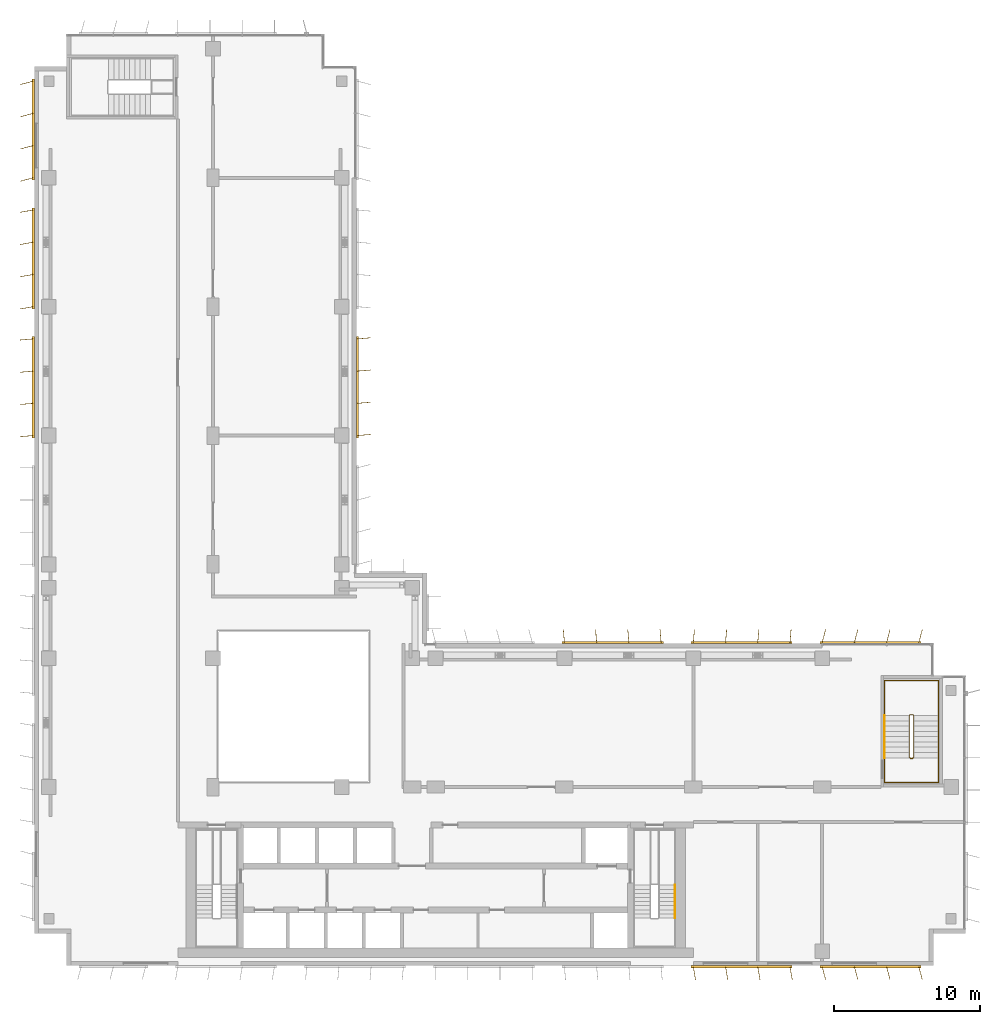
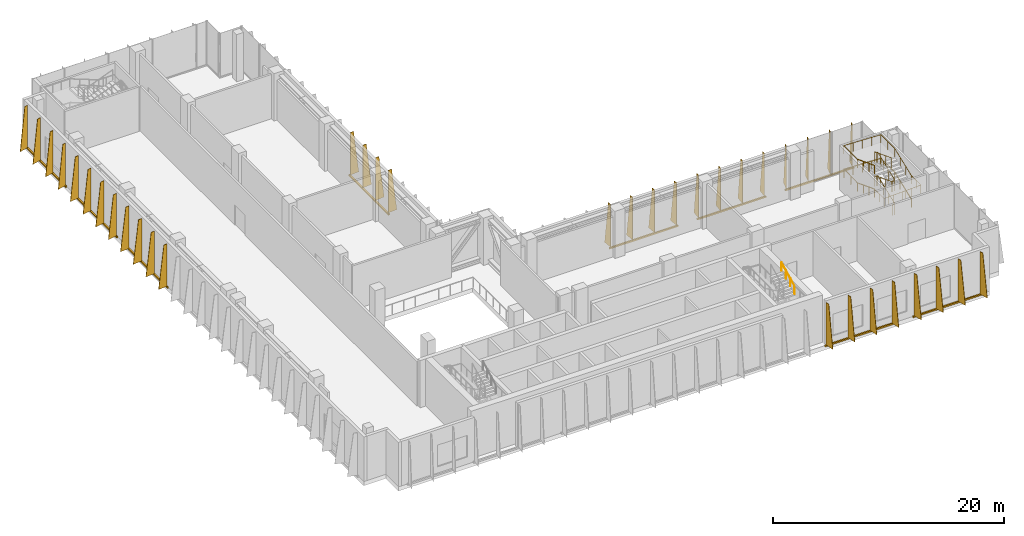
# One storey, part 16 of 17: 9 shading devices, 5 railings.
"""IFC4 building model written with IfcOpenShell, lengths in metres."""

from ifc_helpers import new_model, si_unit, direction, frame, origin, origin_2d, place, context, subcontext, project, spatial, polyline, rectangle, circle, outline, extrude, source, transform, mapped, material, layer, layer_set, type_object, element, save


model = new_model("IFC4")

# Units and contexts
model_context = context("Model", 3, precision=1e-05, world=origin(), true_north=direction((0.0, 1.0)))
body_context = subcontext(model_context, "Body", "Model", "MODEL_VIEW")
ifc_project = project(units=[si_unit("LENGTHUNIT", "METRE"), si_unit("AREAUNIT", "SQUARE_METRE"), si_unit("VOLUMEUNIT", "CUBIC_METRE"), si_unit("PLANEANGLEUNIT", "RADIAN"), si_unit("MASSUNIT", "GRAM", prefix="KILO")], contexts=[model_context])

# Site, building, storey
site_placement = place(None, origin())
site = spatial("IfcSite", under=ifc_project, at=site_placement, CompositionType="ELEMENT")
building_placement = place(site_placement, origin())
building = spatial("IfcBuilding", under=site, at=building_placement, Name="Kemantara Hotel Tower", CompositionType="ELEMENT")
storey_placement = place(building_placement, frame((0.0, 0.0, 193.800048828125)))
storey = spatial("IfcBuildingStorey", under=building, at=storey_placement, Name="L48", CompositionType="ELEMENT", Elevation=193.800048828125)

# Railings
ifc_material_1 = material(Name="Stainless steel balustrade", Category="steel")
railing_type_1 = type_object("IfcRailingType", Name="Stair guard 1100 mm", PredefinedType="GUARDRAIL", material=ifc_material_1)
railing_1_placement = place(storey_placement, frame((59.75, 14.199951171875, 5.0)))
element("IfcRailing", 1, at=railing_1_placement, inside=storey, type_object=railing_type_1, Name="L48 ST3 stair guard 1", PredefinedType="GUARDRAIL", context=body_context, shape_type="SweptSolid", body=[
    extrude(circle(Radius=0.02392578125, at=origin_2d()), frame((0.0, 0.0, 1.076171875), z_axis=(0.0, 0.932982310422, -0.359922225543), x_axis=(-1.0, 0.0, 0.0)), (0.0, 0.0, 1.0), 3.0869140625),
    extrude(circle(Radius=0.02392578125, at=origin_2d()), frame((0.0, 2.880126953125, -0.03515625), z_axis=(0.321175406682, 0.319608697381, -0.891457592206), x_axis=(-0.705375805398, 0.708833529934, 0.0)), (0.0, 0.0, 1.0), 0.15576171875),
    extrude(circle(Radius=0.02392578125, at=origin_2d()), frame((0.050048828125, 2.929931640625, -0.173828125), z_axis=(1.0, 0.0, 0.0), x_axis=(0.0, 1.0, 0.0)), (0.0, 0.0, 1.0), 0.199951171875),
    extrude(circle(Radius=0.02392578125, at=origin_2d()), frame((0.25, 2.929931640625, -0.173828125), z_axis=(0.708833529934, -0.705375805398, 0.0), x_axis=(0.705375805398, 0.708833529934, 0.0)), (0.0, 0.0, 1.0), 0.070556640625),
    extrude(circle(Radius=0.02392578125, at=origin_2d()), frame((0.300048828125, 2.880126953125, -0.173828125), z_axis=(0.0, -0.932982310422, -0.359922225543), x_axis=(1.0, 0.0, 0.0)), (0.0, 0.0, 1.0), 3.0869140625),
    extrude(circle(Radius=0.02392578125, at=origin_2d()), frame((0.300048828125, 0.0, -1.28515625), z_axis=(-0.861032742868, -0.172374719031, -0.478444951847), x_axis=(0.196300278283, -0.98054382908, 0.0)), (0.0, 0.0, 1.0), 0.290283203125),
    extrude(circle(Radius=0.02392578125, at=origin_2d()), frame((0.050048828125, -0.050048828125, -1.423828125), z_axis=(1.0, 0.0, 0.0), x_axis=(0.0, 1.0, 0.0)), (0.0, 0.0, 1.0), 0.199951171875),
    extrude(circle(Radius=0.02392578125, at=origin_2d()), frame((0.25, -0.050048828125, -1.423828125), z_axis=(-0.98054382908, 0.196300278283, 0.0), x_axis=(-0.196300278283, -0.98054382908, 0.0)), (0.0, 0.0, 1.0), 0.2548828125),
    extrude(circle(Radius=0.02392578125, at=origin_2d()), frame((0.0, 0.0, -1.423828125), z_axis=(0.0, 0.932982310422, -0.359922225543), x_axis=(-1.0, 0.0, 0.0)), (0.0, 0.0, 1.0), 3.0869140625),
    extrude(circle(Radius=0.02392578125, at=origin_2d()), frame((0.0, 2.880126953125, -2.53515625), z_axis=(0.321175406682, 0.319608697381, -0.891457592206), x_axis=(-0.705375805398, 0.708833529934, 0.0)), (0.0, 0.0, 1.0), 0.15576171875),
    extrude(circle(Radius=0.02392578125, at=origin_2d()), frame((0.050048828125, 2.929931640625, -2.673828125), z_axis=(1.0, 0.0, 0.0), x_axis=(0.0, 1.0, 0.0)), (0.0, 0.0, 1.0), 0.199951171875),
    extrude(circle(Radius=0.02392578125, at=origin_2d()), frame((0.25, 2.929931640625, -2.673828125), z_axis=(0.708833529934, -0.705375805398, 0.0), x_axis=(0.705375805398, 0.708833529934, 0.0)), (0.0, 0.0, 1.0), 0.070556640625),
    extrude(circle(Radius=0.02392578125, at=origin_2d()), frame((0.300048828125, 2.880126953125, -2.673828125), z_axis=(0.0, -0.932982310422, -0.359922225543), x_axis=(1.0, 0.0, 0.0)), (0.0, 0.0, 1.0), 3.0869140625),
    extrude(circle(Radius=0.02392578125, at=origin_2d()), frame((0.300048828125, 0.0, -3.78515625), z_axis=(-0.321014310373, -0.321014310373, -0.891010451718), x_axis=(0.707106781187, -0.707106781187, 0.0)), (0.0, 0.0, 1.0), 0.156005859375),
    extrude(circle(Radius=0.02392578125, at=origin_2d()), frame((0.25, -0.050048828125, -3.923828125), z_axis=(-1.0, 0.0, 0.0), x_axis=(0.0, -1.0, 0.0)), (0.0, 0.0, 1.0), 0.199951171875),
    extrude(circle(Radius=0.02099609375, at=origin_2d()), origin(), (0.0, 0.0, 1.0), 1.052001953125),
    extrude(circle(Radius=0.02099609375, at=origin_2d()), frame((0.0, 0.9599609375, -0.370361328125)), (0.0, 0.0, 1.0), 1.052001953125),
    extrude(circle(Radius=0.02099609375, at=origin_2d()), frame((0.0, 1.920166015625, -0.74072265625)), (0.0, 0.0, 1.0), 1.052001953125),
    extrude(circle(Radius=0.02099609375, at=origin_2d()), frame((0.0, 2.880126953125, -1.111083984375)), (0.0, 0.0, 1.0), 1.052001953125),
    extrude(circle(Radius=0.02099609375, at=origin_2d()), frame((0.050048828125, 2.929931640625, -1.25)), (0.0, 0.0, 1.0), 1.052001953125),
    extrude(circle(Radius=0.02099609375, at=origin_2d()), frame((0.25, 2.929931640625, -1.25)), (0.0, 0.0, 1.0), 1.052001953125),
    extrude(circle(Radius=0.02099609375, at=origin_2d()), frame((0.300048828125, 2.880126953125, -1.25)), (0.0, 0.0, 1.0), 1.052001953125),
    extrude(circle(Radius=0.02099609375, at=origin_2d()), frame((0.300048828125, 1.920166015625, -1.620361328125)), (0.0, 0.0, 1.0), 1.052001953125),
    extrude(circle(Radius=0.02099609375, at=origin_2d()), frame((0.300048828125, 0.9599609375, -1.99072265625)), (0.0, 0.0, 1.0), 1.052001953125),
    extrude(circle(Radius=0.02099609375, at=origin_2d()), frame((0.300048828125, 0.0, -2.361083984375)), (0.0, 0.0, 1.0), 1.052001953125),
    extrude(circle(Radius=0.02099609375, at=origin_2d()), frame((0.050048828125, -0.050048828125, -2.5)), (0.0, 0.0, 1.0), 1.052001953125),
    extrude(circle(Radius=0.02099609375, at=origin_2d()), frame((0.25, -0.050048828125, -2.5)), (0.0, 0.0, 1.0), 1.052001953125),
    extrude(circle(Radius=0.02099609375, at=origin_2d()), frame((0.0, 0.0, -2.5)), (0.0, 0.0, 1.0), 1.052001953125),
    extrude(circle(Radius=0.02099609375, at=origin_2d()), frame((0.0, 0.9599609375, -2.870361328125)), (0.0, 0.0, 1.0), 1.052001953125),
    extrude(circle(Radius=0.02099609375, at=origin_2d()), frame((0.0, 1.920166015625, -3.24072265625)), (0.0, 0.0, 1.0), 1.052001953125),
    extrude(circle(Radius=0.02099609375, at=origin_2d()), frame((0.0, 2.880126953125, -3.611083984375)), (0.0, 0.0, 1.0), 1.052001953125),
    extrude(circle(Radius=0.02099609375, at=origin_2d()), frame((0.050048828125, 2.929931640625, -3.75)), (0.0, 0.0, 1.0), 1.052001953125),
    extrude(circle(Radius=0.02099609375, at=origin_2d()), frame((0.25, 2.929931640625, -3.75)), (0.0, 0.0, 1.0), 1.052001953125),
    extrude(circle(Radius=0.02099609375, at=origin_2d()), frame((0.300048828125, 2.880126953125, -3.75)), (0.0, 0.0, 1.0), 1.052001953125),
    extrude(circle(Radius=0.02099609375, at=origin_2d()), frame((0.300048828125, 1.920166015625, -4.120361328125)), (0.0, 0.0, 1.0), 1.052001953125),
    extrude(circle(Radius=0.02099609375, at=origin_2d()), frame((0.300048828125, 0.9599609375, -4.49072265625)), (0.0, 0.0, 1.0), 1.052001953125),
    extrude(circle(Radius=0.02099609375, at=origin_2d()), frame((0.300048828125, 0.0, -4.861083984375)), (0.0, 0.0, 1.0), 1.052001953125),
    extrude(circle(Radius=0.02099609375, at=origin_2d()), frame((0.25, -0.050048828125, -5.0)), (0.0, 0.0, 1.0), 1.052001953125),
    extrude(circle(Radius=0.02099609375, at=origin_2d()), frame((0.050048828125, -0.050048828125, -5.0)), (0.0, 0.0, 1.0), 1.052001953125),
])
railing_type_2 = type_object("IfcRailingType", Name="Stair handrail 900 mm", PredefinedType="HANDRAIL", material=ifc_material_1)
railing_2_placement = place(storey_placement, frame((43.75, 3.260009765625, 3.888916015625)))
element("IfcRailing", 2, at=railing_2_placement, inside=storey, type_object=railing_type_2, Name="L48 ST2 stair handrail 3", PredefinedType="HANDRAIL", context=body_context, shape_type="SweptSolid", body=[
    extrude(circle(Radius=0.02392578125, at=origin_2d()), frame((0.0, 0.0, 0.8759765625), z_axis=(0.0, 0.895848192791, 0.444360231651), x_axis=(-1.0, 0.0, 0.0)), (0.0, 0.0, 1.0), 2.50048828125),
    extrude(circle(Radius=0.02099609375, at=origin_2d()), origin(), (0.0, 0.0, 1.0), 0.851806640625),
    extrude(circle(Radius=0.02099609375, at=origin_2d()), frame((0.0, 0.74658203125, 0.370361328125)), (0.0, 0.0, 1.0), 0.851806640625),
    extrude(circle(Radius=0.02099609375, at=origin_2d()), frame((0.0, 1.493408203125, 0.74072265625)), (0.0, 0.0, 1.0), 0.851806640625),
    extrude(circle(Radius=0.02099609375, at=origin_2d()), frame((0.0, 2.239990234375, 1.111083984375)), (0.0, 0.0, 1.0), 0.851806640625),
])
railing_3_placement = place(storey_placement, frame((61.75, 14.199951171875, 0.138916015625)))
element("IfcRailing", 3, at=railing_3_placement, inside=storey, type_object=railing_type_2, Name="L48 ST3 stair handrail 1", PredefinedType="HANDRAIL", context=body_context, shape_type="SweptSolid", body=[
    extrude(circle(Radius=0.02392578125, at=origin_2d()), frame((0.0, 0.0, 0.8759765625), z_axis=(0.0, 0.932982310422, 0.359922225543), x_axis=(-1.0, 0.0, 0.0)), (0.0, 0.0, 1.0), 3.0869140625),
    extrude(circle(Radius=0.02392578125, at=origin_2d()), frame((0.0, 2.880126953125, 1.98681640625), z_axis=(0.0, 1.0, 0.0), x_axis=(-1.0, 0.0, 0.0)), (0.0, 0.0, 1.0), 2.39990234375),
    extrude(circle(Radius=0.02392578125, at=origin_2d()), frame((0.0, 5.280029296875, 1.98681640625), z_axis=(-0.999295917098, 0.0, 0.037518929517), x_axis=(0.0, -1.0, 0.0)), (0.0, 0.0, 1.0), 3.70263671875),
    extrude(circle(Radius=0.02392578125, at=origin_2d()), frame((-3.699951171875, 5.280029296875, 2.1259765625), z_axis=(0.0, -1.0, 0.0), x_axis=(1.0, 0.0, 0.0)), (0.0, 0.0, 1.0), 2.39990234375),
    extrude(circle(Radius=0.02392578125, at=origin_2d()), frame((-3.699951171875, 2.880126953125, 2.1259765625), z_axis=(0.0, -0.932982310422, 0.359922225543), x_axis=(1.0, 0.0, 0.0)), (0.0, 0.0, 1.0), 3.0869140625),
    extrude(circle(Radius=0.02099609375, at=origin_2d()), origin(), (0.0, 0.0, 1.0), 0.851806640625),
    extrude(circle(Radius=0.02099609375, at=origin_2d()), frame((0.0, 0.9599609375, 0.370361328125)), (0.0, 0.0, 1.0), 0.851806640625),
    extrude(circle(Radius=0.02099609375, at=origin_2d()), frame((0.0, 1.920166015625, 0.74072265625)), (0.0, 0.0, 1.0), 0.851806640625),
    extrude(circle(Radius=0.02099609375, at=origin_2d()), frame((0.0, 2.880126953125, 1.111083984375)), (0.0, 0.0, 1.0), 0.851806640625),
    extrude(circle(Radius=0.02099609375, at=origin_2d()), frame((0.0, 4.080078125, 1.111083984375)), (0.0, 0.0, 1.0), 0.851806640625),
    extrude(circle(Radius=0.02099609375, at=origin_2d()), frame((0.0, 5.280029296875, 1.111083984375)), (0.0, 0.0, 1.0), 0.851806640625),
    extrude(circle(Radius=0.02099609375, at=origin_2d()), frame((-0.925048828125, 5.280029296875, 1.145751953125)), (0.0, 0.0, 1.0), 0.851806640625),
    extrude(circle(Radius=0.02099609375, at=origin_2d()), frame((-1.85009765625, 5.280029296875, 1.1806640625)), (0.0, 0.0, 1.0), 0.851806640625),
    extrude(circle(Radius=0.02099609375, at=origin_2d()), frame((-2.77490234375, 5.280029296875, 1.21533203125)), (0.0, 0.0, 1.0), 0.851806640625),
    extrude(circle(Radius=0.02099609375, at=origin_2d()), frame((-3.699951171875, 5.280029296875, 1.25)), (0.0, 0.0, 1.0), 0.851806640625),
    extrude(circle(Radius=0.02099609375, at=origin_2d()), frame((-3.699951171875, 4.080078125, 1.25)), (0.0, 0.0, 1.0), 0.851806640625),
    extrude(circle(Radius=0.02099609375, at=origin_2d()), frame((-3.699951171875, 2.880126953125, 1.25)), (0.0, 0.0, 1.0), 0.851806640625),
    extrude(circle(Radius=0.02099609375, at=origin_2d()), frame((-3.699951171875, 1.920166015625, 1.620361328125)), (0.0, 0.0, 1.0), 0.851806640625),
    extrude(circle(Radius=0.02099609375, at=origin_2d()), frame((-3.699951171875, 0.9599609375, 1.99072265625)), (0.0, 0.0, 1.0), 0.851806640625),
    extrude(circle(Radius=0.02099609375, at=origin_2d()), frame((-3.699951171875, 0.0, 2.361083984375)), (0.0, 0.0, 1.0), 0.851806640625),
])
railing_4_placement = place(storey_placement, frame((58.050048828125, 14.199951171875, 2.5)))
element("IfcRailing", 4, at=railing_4_placement, inside=storey, type_object=railing_type_2, Name="L48 ST3 stair handrail 2", PredefinedType="HANDRAIL", context=body_context, shape_type="SweptSolid", body=[
    extrude(circle(Radius=0.02392578125, at=origin_2d()), frame((0.0, 0.0, 0.8759765625), z_axis=(0.0, -1.0, 0.0), x_axis=(1.0, 0.0, 0.0)), (0.0, 0.0, 1.0), 1.679931640625),
    extrude(circle(Radius=0.02392578125, at=origin_2d()), frame((0.0, -1.679931640625, 0.8759765625), z_axis=(0.999295917098, 0.0, 0.037518929517), x_axis=(0.0, 1.0, 0.0)), (0.0, 0.0, 1.0), 3.70263671875),
    extrude(circle(Radius=0.02392578125, at=origin_2d()), frame((3.699951171875, -1.679931640625, 1.0146484375), z_axis=(0.0, 1.0, 0.0), x_axis=(-1.0, 0.0, 0.0)), (0.0, 0.0, 1.0), 1.679931640625),
    extrude(circle(Radius=0.02392578125, at=origin_2d()), frame((3.699951171875, 0.0, 1.0146484375), z_axis=(0.0, 0.932982310422, 0.359922225543), x_axis=(-1.0, 0.0, 0.0)), (0.0, 0.0, 1.0), 3.0869140625),
    extrude(circle(Radius=0.02392578125, at=origin_2d()), frame((3.699951171875, 2.880126953125, 2.1259765625), z_axis=(0.0, 1.0, 0.0), x_axis=(-1.0, 0.0, 0.0)), (0.0, 0.0, 1.0), 2.39990234375),
    extrude(circle(Radius=0.02392578125, at=origin_2d()), frame((3.699951171875, 5.280029296875, 2.1259765625), z_axis=(-0.999295917098, 0.0, 0.037518929517), x_axis=(0.0, -1.0, 0.0)), (0.0, 0.0, 1.0), 3.70263671875),
    extrude(circle(Radius=0.02392578125, at=origin_2d()), frame((0.0, 5.280029296875, 2.2646484375), z_axis=(0.0, -1.0, 0.0), x_axis=(1.0, 0.0, 0.0)), (0.0, 0.0, 1.0), 2.39990234375),
    extrude(circle(Radius=0.02099609375, at=origin_2d()), origin(), (0.0, 0.0, 1.0), 0.851806640625),
    extrude(circle(Radius=0.02099609375, at=origin_2d()), frame((0.0, -0.83984375, 0.0)), (0.0, 0.0, 1.0), 0.851806640625),
    extrude(circle(Radius=0.02099609375, at=origin_2d()), frame((0.0, -1.679931640625, 0.0)), (0.0, 0.0, 1.0), 0.851806640625),
    extrude(circle(Radius=0.02099609375, at=origin_2d()), frame((0.925048828125, -1.679931640625, 0.03466796875)), (0.0, 0.0, 1.0), 0.851806640625),
    extrude(circle(Radius=0.02099609375, at=origin_2d()), frame((1.85009765625, -1.679931640625, 0.0693359375)), (0.0, 0.0, 1.0), 0.851806640625),
    extrude(circle(Radius=0.02099609375, at=origin_2d()), frame((2.77490234375, -1.679931640625, 0.104248046875)), (0.0, 0.0, 1.0), 0.851806640625),
    extrude(circle(Radius=0.02099609375, at=origin_2d()), frame((3.699951171875, -1.679931640625, 0.138916015625)), (0.0, 0.0, 1.0), 0.851806640625),
    extrude(circle(Radius=0.02099609375, at=origin_2d()), frame((3.699951171875, -0.83984375, 0.138916015625)), (0.0, 0.0, 1.0), 0.851806640625),
    extrude(circle(Radius=0.02099609375, at=origin_2d()), frame((3.699951171875, 0.0, 0.138916015625)), (0.0, 0.0, 1.0), 0.851806640625),
    extrude(circle(Radius=0.02099609375, at=origin_2d()), frame((3.699951171875, 0.9599609375, 0.50927734375)), (0.0, 0.0, 1.0), 0.851806640625),
    extrude(circle(Radius=0.02099609375, at=origin_2d()), frame((3.699951171875, 1.920166015625, 0.879638671875)), (0.0, 0.0, 1.0), 0.851806640625),
    extrude(circle(Radius=0.02099609375, at=origin_2d()), frame((3.699951171875, 2.880126953125, 1.25)), (0.0, 0.0, 1.0), 0.851806640625),
    extrude(circle(Radius=0.02099609375, at=origin_2d()), frame((3.699951171875, 4.080078125, 1.25)), (0.0, 0.0, 1.0), 0.851806640625),
    extrude(circle(Radius=0.02099609375, at=origin_2d()), frame((3.699951171875, 5.280029296875, 1.25)), (0.0, 0.0, 1.0), 0.851806640625),
    extrude(circle(Radius=0.02099609375, at=origin_2d()), frame((2.77490234375, 5.280029296875, 1.28466796875)), (0.0, 0.0, 1.0), 0.851806640625),
    extrude(circle(Radius=0.02099609375, at=origin_2d()), frame((1.85009765625, 5.280029296875, 1.3193359375)), (0.0, 0.0, 1.0), 0.851806640625),
    extrude(circle(Radius=0.02099609375, at=origin_2d()), frame((0.925048828125, 5.280029296875, 1.354248046875)), (0.0, 0.0, 1.0), 0.851806640625),
    extrude(circle(Radius=0.02099609375, at=origin_2d()), frame((0.0, 5.280029296875, 1.388916015625)), (0.0, 0.0, 1.0), 0.851806640625),
    extrude(circle(Radius=0.02099609375, at=origin_2d()), frame((0.0, 4.080078125, 1.388916015625)), (0.0, 0.0, 1.0), 0.851806640625),
    extrude(circle(Radius=0.02099609375, at=origin_2d()), frame((0.0, 2.880126953125, 1.388916015625)), (0.0, 0.0, 1.0), 0.851806640625),
])
railing_5_placement = place(storey_placement, frame((58.050048828125, 17.080078125, 3.888916015625)))
element("IfcRailing", 5, at=railing_5_placement, inside=storey, type_object=railing_type_2, Name="L48 ST3 stair handrail 3", PredefinedType="HANDRAIL", context=body_context, shape_type="SweptSolid", body=[
    extrude(circle(Radius=0.02392578125, at=origin_2d()), frame((0.0, 0.0, 0.8759765625), z_axis=(0.0, -0.932982310422, 0.359922225543), x_axis=(1.0, 0.0, 0.0)), (0.0, 0.0, 1.0), 3.0869140625),
    extrude(circle(Radius=0.02099609375, at=origin_2d()), origin(), (0.0, 0.0, 1.0), 0.851806640625),
    extrude(circle(Radius=0.02099609375, at=origin_2d()), frame((0.0, -0.9599609375, 0.370361328125)), (0.0, 0.0, 1.0), 0.851806640625),
    extrude(circle(Radius=0.02099609375, at=origin_2d()), frame((0.0, -1.920166015625, 0.74072265625)), (0.0, 0.0, 1.0), 0.851806640625),
    extrude(circle(Radius=0.02099609375, at=origin_2d()), frame((0.0, -2.880126953125, 1.111083984375)), (0.0, 0.0, 1.0), 0.851806640625),
])

# Shading devices
ifc_material_2 = material(Name="Perforated aluminium plate 4 mm bronze anodised", Category="aluminium")
ifc_layer_1 = layer(ifc_material_2, 0.0400390625)
ifc_layer_set_1 = layer_set([ifc_layer_1], Name="Perforated aluminium plate 4 mm bronze anodised")
shading_device_type_1 = type_object("IfcShadingDeviceType", Name="SCREEN FIN CASSETTE, 4 BLADES AT -5.0 DEG, 4500 HIGH", PredefinedType="USERDEFINED", material=ifc_layer_set_1)
shared_shape_1 = source(origin(), body_context, "Body", "SweptSolid", [
    extrude(rectangle(XDim=6.89990234375, YDim=0.14990234375, at=origin_2d()), frame((3.300048828125, -0.074951171875, -0.14990234375), z_axis=(0.0, 0.0, 1.0), x_axis=(1.0, 0.0, 0.0)), (0.0, 0.0, 1.0), 0.14990234375),
    extrude(outline(polyline([(0.0, 0.0), (0.89990234375, 0.0), (0.35009765625, 4.5), (0.0, 4.5), (0.0, 0.0)])), frame((0.02001953125, -0.07666015625, 0.0), z_axis=(-0.996376129781, 0.085056498884, 0.0), x_axis=(-0.085056498884, -0.996376129781, 0.0)), (0.0, 0.0, 1.0), 0.040283203125),
    extrude(outline(polyline([(0.0, 0.0), (0.89990234375, 0.0), (0.35009765625, 4.5), (0.0, 4.5), (0.0, 0.0)])), frame((2.219970703125, -0.07666015625, 0.0), z_axis=(-0.996331773833, 0.085574508182, 0.0), x_axis=(-0.085574508182, -0.996331773833, 0.0)), (0.0, 0.0, 1.0), 0.0400390625),
    extrude(outline(polyline([(0.0, 0.0), (0.89990234375, 0.0), (0.35009765625, 4.5), (0.0, 4.5), (0.0, 0.0)])), frame((4.419921875, -0.07666015625, 0.0), z_axis=(-0.996331773833, 0.085574508182, 0.0), x_axis=(-0.085574508182, -0.996331773833, 0.0)), (0.0, 0.0, 1.0), 0.0400390625),
    extrude(outline(polyline([(0.0, 0.0), (0.89990234375, 0.0), (0.35009765625, 4.5), (0.0, 4.5), (0.0, 0.0)])), frame((6.619873046875, -0.07666015625, 0.0), z_axis=(-0.996331773833, 0.085574508182, 0.0), x_axis=(-0.085574508182, -0.996331773833, 0.0)), (0.0, 0.0, 1.0), 0.0400390625),
])
shading_device_1_placement = place(storey_placement, frame((51.60009765625, 22.0, 0.099853515625), z_axis=(0.0, 0.0, 1.0), x_axis=(-1.0, 0.0, 0.0)))
element("IfcShadingDevice", 6, at=shading_device_1_placement, inside=storey, type_object=shading_device_type_1, Name="SCREEN FIN CASSETTE L48 T3-R14-2", ObjectType="SCREEN FIN", PredefinedType="USERDEFINED", context=body_context, shape_type="MappedRepresentation", body=[
    mapped(shared_shape_1, transform((0.0, 0.0, 0.0))),
])
ifc_layer_2 = layer(ifc_material_2, 0.0400390625)
ifc_layer_set_2 = layer_set([ifc_layer_2], Name="Perforated aluminium plate 4 mm bronze anodised")
shading_device_type_2 = type_object("IfcShadingDeviceType", Name="SCREEN FIN CASSETTE, 4 BLADES AT +5.0 DEG, 4500 HIGH", PredefinedType="USERDEFINED", material=ifc_layer_set_2)
shared_shape_2 = source(origin(), body_context, "Body", "SweptSolid", [
    extrude(rectangle(XDim=6.89990234375, YDim=0.14990234375, at=origin_2d()), frame((3.300048828125, -0.074951171875, -0.14990234375), z_axis=(0.0, 0.0, 1.0), x_axis=(1.0, 0.0, 0.0)), (0.0, 0.0, 1.0), 0.14990234375),
    extrude(outline(polyline([(0.0, 0.0), (0.89990234375, 0.0), (0.35009765625, 4.5), (0.0, 4.5), (0.0, 0.0)])), frame((0.02001953125, -0.0732421875, 0.0), z_axis=(-0.996376129781, -0.085056498884, 0.0), x_axis=(0.085056498884, -0.996376129781, 0.0)), (0.0, 0.0, 1.0), 0.040283203125),
    extrude(outline(polyline([(0.0, 0.0), (0.89990234375, 0.0), (0.35009765625, 4.5), (0.0, 4.5), (0.0, 0.0)])), frame((2.219970703125, -0.0732421875, 0.0), z_axis=(-0.996331773833, -0.085574508182, 0.0), x_axis=(0.085574508182, -0.996331773833, 0.0)), (0.0, 0.0, 1.0), 0.0400390625),
    extrude(outline(polyline([(0.0, 0.0), (0.89990234375, 0.0), (0.35009765625, 4.5), (0.0, 4.5), (0.0, 0.0)])), frame((4.419921875, -0.0732421875, 0.0), z_axis=(-0.996331773833, -0.085574508182, 0.0), x_axis=(0.085574508182, -0.996331773833, 0.0)), (0.0, 0.0, 1.0), 0.0400390625),
    extrude(outline(polyline([(0.0, 0.0), (0.89990234375, 0.0), (0.35009765625, 4.5), (0.0, 4.5), (0.0, 0.0)])), frame((6.619873046875, -0.0732421875, 0.0), z_axis=(-0.996331773833, -0.085574508182, 0.0), x_axis=(0.085574508182, -0.996331773833, 0.0)), (0.0, 0.0, 1.0), 0.0400390625),
])
for number, where, z_axis, x_axis, name in (
    (7, (0.0, 42.800048828125, 0.099853515625), (0.0, 0.0, 1.0), (0.0, -1.0, 0.0), "SCREEN FIN CASSETTE L48 T3-R05-3"),
    (8, (42.800048828125, 22.0, 0.099853515625), (0.0, 0.0, 1.0), (-1.0, 0.0, 0.0), "SCREEN FIN CASSETTE L48 T3-R14-3"),
    (9, (22.0, 36.199951171875, 0.099853515625), (0.0, 0.0, 1.0), (0.0, 1.0, 0.0), "SCREEN FIN CASSETTE L48 T3-R17-2"),
):
    element("IfcShadingDevice", number, at=place(storey_placement, frame(where, z_axis=z_axis, x_axis=x_axis)), inside=storey, type_object=shading_device_type_2, Name=name, ObjectType="SCREEN FIN", PredefinedType="USERDEFINED", context=body_context, shape_type="MappedRepresentation", body=[
        mapped(shared_shape_2, transform((0.0, 0.0, 0.0))),
    ])
ifc_layer_3 = layer(ifc_material_2, 0.0400390625)
ifc_layer_set_3 = layer_set([ifc_layer_3], Name="Perforated aluminium plate 4 mm bronze anodised")
shading_device_type_3 = type_object("IfcShadingDeviceType", Name="SCREEN FIN CASSETTE, 4 BLADES AT +10.0 DEG, 4500 HIGH", PredefinedType="USERDEFINED", material=ifc_layer_set_3)
shared_shape_3 = source(origin(), body_context, "Body", "SweptSolid", [
    extrude(rectangle(XDim=6.89990234375, YDim=0.14990234375, at=origin_2d()), frame((3.300048828125, -0.074951171875, -0.14990234375), z_axis=(0.0, 0.0, 1.0), x_axis=(1.0, 0.0, 0.0)), (0.0, 0.0, 1.0), 0.14990234375),
    extrude(outline(polyline([(0.0, 0.0), (0.89990234375, 0.0), (0.35009765625, 4.5), (0.0, 4.5), (0.0, 0.0)])), frame((0.019775390625, -0.071533203125, 0.0), z_axis=(-0.985389793052, -0.170314285219, 0.0), x_axis=(0.170314285219, -0.985389793052, 0.0)), (0.0, 0.0, 1.0), 0.0400390625),
    extrude(outline(polyline([(0.0, 0.0), (0.89990234375, 0.0), (0.35009765625, 4.5), (0.0, 4.5), (0.0, 0.0)])), frame((2.2197265625, -0.071533203125, 0.0), z_axis=(-0.98521175482, -0.171341174751, 0.0), x_axis=(0.171341174751, -0.98521175482, 0.0)), (0.0, 0.0, 1.0), 0.039794921875),
    extrude(outline(polyline([(0.0, 0.0), (0.89990234375, 0.0), (0.35009765625, 4.5), (0.0, 4.5), (0.0, 0.0)])), frame((4.419677734375, -0.071533203125, 0.0), z_axis=(-0.98521175482, -0.171341174751, 0.0), x_axis=(0.171341174751, -0.98521175482, 0.0)), (0.0, 0.0, 1.0), 0.039794921875),
    extrude(outline(polyline([(0.0, 0.0), (0.89990234375, 0.0), (0.35009765625, 4.5), (0.0, 4.5), (0.0, 0.0)])), frame((6.61962890625, -0.071533203125, 0.0), z_axis=(-0.98521175482, -0.171341174751, 0.0), x_axis=(0.171341174751, -0.98521175482, 0.0)), (0.0, 0.0, 1.0), 0.039794921875),
])
for number, where, z_axis, x_axis, name in (
    (10, (0.0, 51.60009765625, 0.099853515625), (0.0, 0.0, 1.0), (0.0, -1.0, 0.0), "SCREEN FIN CASSETTE L48 T3-R05-2"),
    (11, (45.0, 0.0, 0.099853515625), (0.0, 0.0, 1.0), (1.0, 0.0, 0.0), "SCREEN FIN CASSETTE L48 T3-R08-6"),
):
    element("IfcShadingDevice", number, at=place(storey_placement, frame(where, z_axis=z_axis, x_axis=x_axis)), inside=storey, type_object=shading_device_type_3, Name=name, ObjectType="SCREEN FIN", PredefinedType="USERDEFINED", context=body_context, shape_type="MappedRepresentation", body=[
        mapped(shared_shape_3, transform((0.0, 0.0, 0.0))),
    ])
ifc_layer_4 = layer(ifc_material_2, 0.0400390625)
ifc_layer_set_4 = layer_set([ifc_layer_4], Name="Perforated aluminium plate 4 mm bronze anodised")
shading_device_type_4 = type_object("IfcShadingDeviceType", Name="SCREEN FIN CASSETTE, 4 BLADES AT +15.0 DEG, 4500 HIGH", PredefinedType="USERDEFINED", material=ifc_layer_set_4)
shared_shape_4 = source(origin(), body_context, "Body", "SweptSolid", [
    extrude(rectangle(XDim=6.89990234375, YDim=0.14990234375, at=origin_2d()), frame((3.300048828125, -0.074951171875, -0.14990234375), z_axis=(0.0, 0.0, 1.0), x_axis=(1.0, 0.0, 0.0)), (0.0, 0.0, 1.0), 0.14990234375),
    extrude(outline(polyline([(0.0, 0.0), (0.89990234375, 0.0), (0.35009765625, 4.5), (0.0, 4.5), (0.0, 0.0)])), frame((0.019287109375, -0.06982421875, 0.0), z_axis=(-0.966437683387, -0.256901156343, 0.0), x_axis=(0.256901156343, -0.966437683387, 0.0)), (0.0, 0.0, 1.0), 0.039794921875),
    extrude(outline(polyline([(0.0, 0.0), (0.89990234375, 0.0), (0.35009765625, 4.5), (0.0, 4.5), (0.0, 0.0)])), frame((2.21923828125, -0.06982421875, 0.0), z_axis=(-0.966437683387, -0.256901156343, 0.0), x_axis=(0.256901156343, -0.966437683387, 0.0)), (0.0, 0.0, 1.0), 0.039794921875),
    extrude(outline(polyline([(0.0, 0.0), (0.89990234375, 0.0), (0.35009765625, 4.5), (0.0, 4.5), (0.0, 0.0)])), frame((4.41943359375, -0.06982421875, 0.0), z_axis=(-0.966837822169, -0.255391122837, 0.0), x_axis=(0.255391122837, -0.966837822169, 0.0)), (0.0, 0.0, 1.0), 0.0400390625),
    extrude(outline(polyline([(0.0, 0.0), (0.89990234375, 0.0), (0.35009765625, 4.5), (0.0, 4.5), (0.0, 0.0)])), frame((6.619384765625, -0.06982421875, 0.0), z_axis=(-0.966837822169, -0.255391122837, 0.0), x_axis=(0.255391122837, -0.966837822169, 0.0)), (0.0, 0.0, 1.0), 0.0400390625),
])
for number, where, z_axis, x_axis, name in (
    (12, (0.0, 60.39990234375, 0.099853515625), (0.0, 0.0, 1.0), (0.0, -1.0, 0.0), "SCREEN FIN CASSETTE L48 T3-R05-1"),
    (13, (53.800048828125, 0.0, 0.099853515625), (0.0, 0.0, 1.0), (1.0, 0.0, 0.0), "SCREEN FIN CASSETTE L48 T3-R08-7"),
):
    element("IfcShadingDevice", number, at=place(storey_placement, frame(where, z_axis=z_axis, x_axis=x_axis)), inside=storey, type_object=shading_device_type_4, Name=name, ObjectType="SCREEN FIN", PredefinedType="USERDEFINED", context=body_context, shape_type="MappedRepresentation", body=[
        mapped(shared_shape_4, transform((0.0, 0.0, 0.0))),
    ])
ifc_layer_5 = layer(ifc_material_2, 0.0400390625)
ifc_layer_set_5 = layer_set([ifc_layer_5], Name="Perforated aluminium plate 4 mm bronze anodised")
shading_device_type_5 = type_object("IfcShadingDeviceType", Name="SCREEN FIN CASSETTE, 4 BLADES AT -15.0 DEG, 4500 HIGH", PredefinedType="USERDEFINED", material=ifc_layer_set_5)
shared_shape_5 = source(origin(), body_context, "Body", "SweptSolid", [
    extrude(rectangle(XDim=6.89990234375, YDim=0.14990234375, at=origin_2d()), frame((3.300048828125, -0.074951171875, -0.14990234375), z_axis=(0.0, 0.0, 1.0), x_axis=(1.0, 0.0, 0.0)), (0.0, 0.0, 1.0), 0.14990234375),
    extrude(outline(polyline([(0.0, 0.0), (0.89990234375, 0.0), (0.35009765625, 4.5), (0.0, 4.5), (0.0, 0.0)])), frame((0.019287109375, -0.080078125, 0.0), z_axis=(-0.966437683387, 0.256901156343, 0.0), x_axis=(-0.256901156343, -0.966437683387, 0.0)), (0.0, 0.0, 1.0), 0.039794921875),
    extrude(outline(polyline([(0.0, 0.0), (0.89990234375, 0.0), (0.35009765625, 4.5), (0.0, 4.5), (0.0, 0.0)])), frame((2.21923828125, -0.080078125, 0.0), z_axis=(-0.966437683387, 0.256901156343, 0.0), x_axis=(-0.256901156343, -0.966437683387, 0.0)), (0.0, 0.0, 1.0), 0.039794921875),
    extrude(outline(polyline([(0.0, 0.0), (0.89990234375, 0.0), (0.35009765625, 4.5), (0.0, 4.5), (0.0, 0.0)])), frame((4.41943359375, -0.080078125, 0.0), z_axis=(-0.966837822169, 0.255391122837, 0.0), x_axis=(-0.255391122837, -0.966837822169, 0.0)), (0.0, 0.0, 1.0), 0.0400390625),
    extrude(outline(polyline([(0.0, 0.0), (0.89990234375, 0.0), (0.35009765625, 4.5), (0.0, 4.5), (0.0, 0.0)])), frame((6.619384765625, -0.080078125, 0.0), z_axis=(-0.966837822169, 0.255391122837, 0.0), x_axis=(-0.255391122837, -0.966837822169, 0.0)), (0.0, 0.0, 1.0), 0.0400390625),
])
shading_device_2_placement = place(storey_placement, frame((60.39990234375, 22.0, 0.099853515625), z_axis=(0.0, 0.0, 1.0), x_axis=(-1.0, 0.0, 0.0)))
element("IfcShadingDevice", 14, at=shading_device_2_placement, inside=storey, type_object=shading_device_type_5, Name="SCREEN FIN CASSETTE L48 T3-R14-1", ObjectType="SCREEN FIN", PredefinedType="USERDEFINED", context=body_context, shape_type="MappedRepresentation", body=[
    mapped(shared_shape_5, transform((0.0, 0.0, 0.0))),
])

save(model, "model.ifc")
